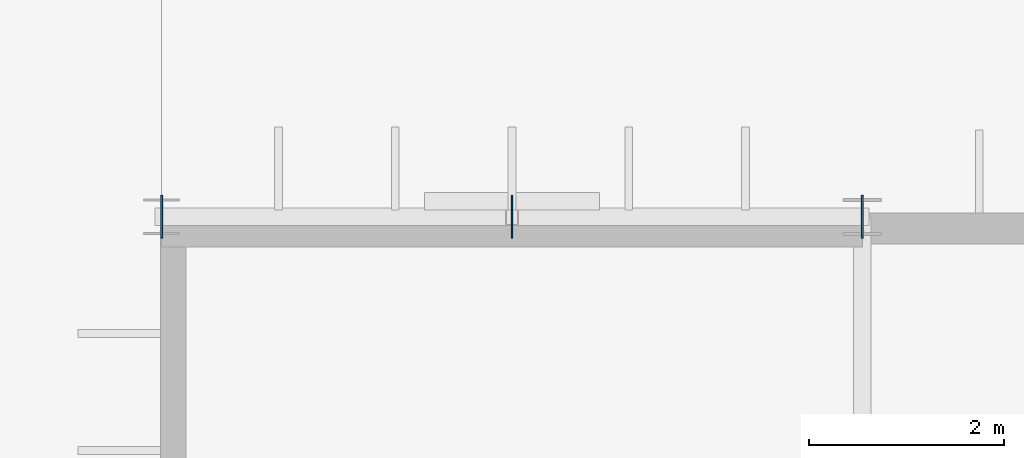
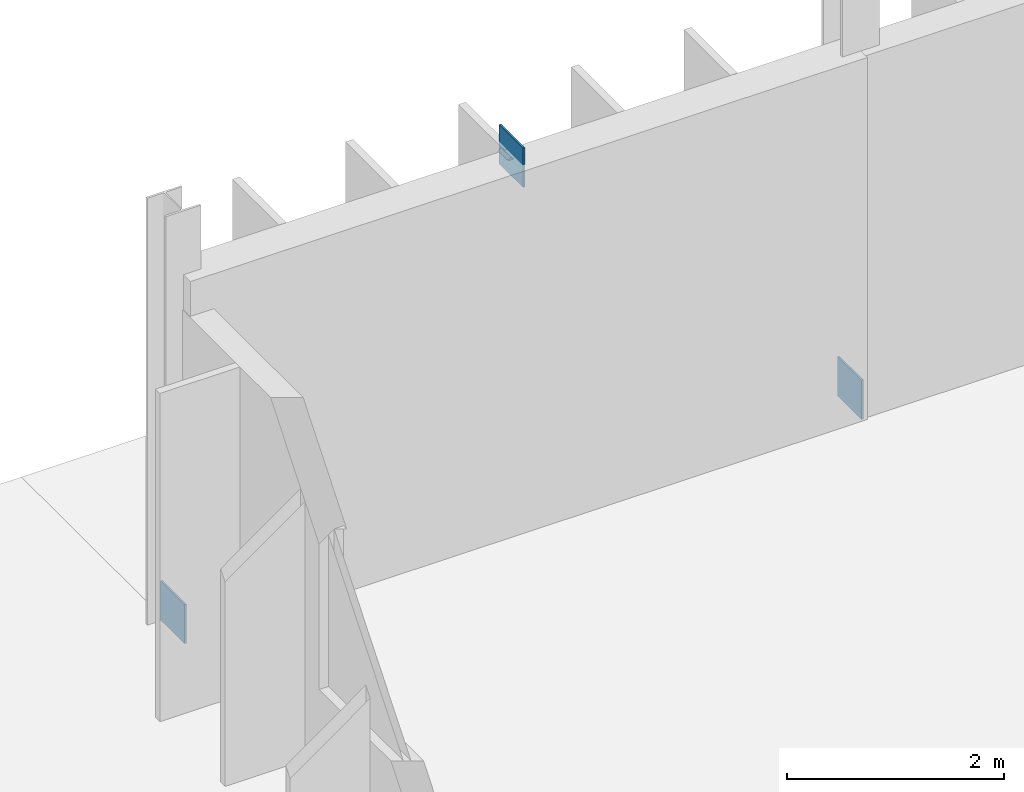
# One storey, part 80 of 118: 3 plates.
"""IFC4 building model written with IfcOpenShell, lengths in metres."""

from ifc_helpers import new_model, si_unit, direction, frame, origin, origin_2d, place, context, subcontext, project, spatial, rectangle, extrude, material, layer, layer_set, type_object, element, save


model = new_model("IFC4")

# Units and contexts
model_context = context("Model", 3, precision=1e-05, world=origin(), true_north=direction((0.0, 1.0)))
body_context = subcontext(model_context, "Body", "Model", "MODEL_VIEW")
ifc_project = project(units=[si_unit("LENGTHUNIT", "METRE"), si_unit("AREAUNIT", "SQUARE_METRE"), si_unit("VOLUMEUNIT", "CUBIC_METRE"), si_unit("PLANEANGLEUNIT", "RADIAN"), si_unit("MASSUNIT", "GRAM", prefix="KILO")], contexts=[model_context])

# Site, building, storey
site_placement = place(None, origin())
site = spatial("IfcSite", under=ifc_project, at=site_placement, CompositionType="ELEMENT")
building_placement = place(site_placement, origin())
building = spatial("IfcBuilding", under=site, at=building_placement, Name="Qelthora Terrace Specialist Clinic", CompositionType="ELEMENT")
storey_placement = place(building_placement, origin())
storey = spatial("IfcBuildingStorey", under=building, at=storey_placement, Name="L00", CompositionType="ELEMENT", Elevation=0.0)

# Plates
ifc_material = material(Name="Steel S355", Category="steel")
ifc_layer = layer(ifc_material, 0.02001953125)
ifc_layer_set = layer_set([ifc_layer], Name="Steel S355")
plate_type = type_object("IfcPlateType", Name="PLT-GUS-480X480X20", PredefinedType="USERDEFINED", material=ifc_layer_set)
for number, where, z_axis, x_axis, name in (
    (1, (0.0, 109.199951171875, -0.0400390625), (0.0, 0.0, 1.0), (1.0, 0.0, 0.0), "Steel truss node plate GPLT-0149"),
    (2, (3.60009765625, 109.199951171875, 3.830078125), (0.0, 0.0, 1.0), (1.0, 0.0, 0.0), "Steel truss node plate GPLT-0150"),
    (3, (7.199951171875, 109.199951171875, -0.0400390625), (0.0, 0.0, 1.0), (1.0, 0.0, 0.0), "Steel truss node plate GPLT-0151"),
):
    element("IfcPlate", number, at=place(storey_placement, frame(where, z_axis=z_axis, x_axis=x_axis)), inside=storey, type_object=plate_type, Name=name, ObjectType="GUSSET PLATE", PredefinedType="USERDEFINED", context=body_context, shape_type="SweptSolid", body=[
        extrude(rectangle(XDim=0.02001953125, YDim=0.43994140625, at=origin_2d()), origin(), (0.0, 0.0, 1.0), 0.43994140625),
    ])

save(model, "model.ifc")
